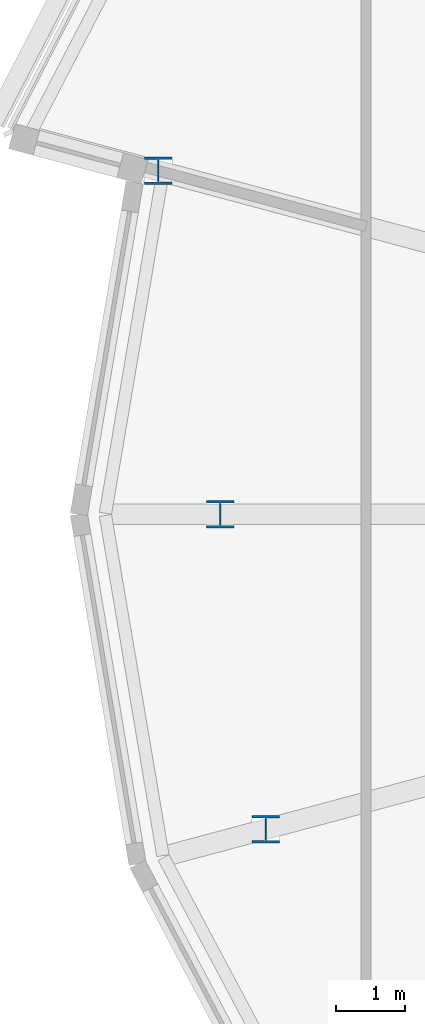
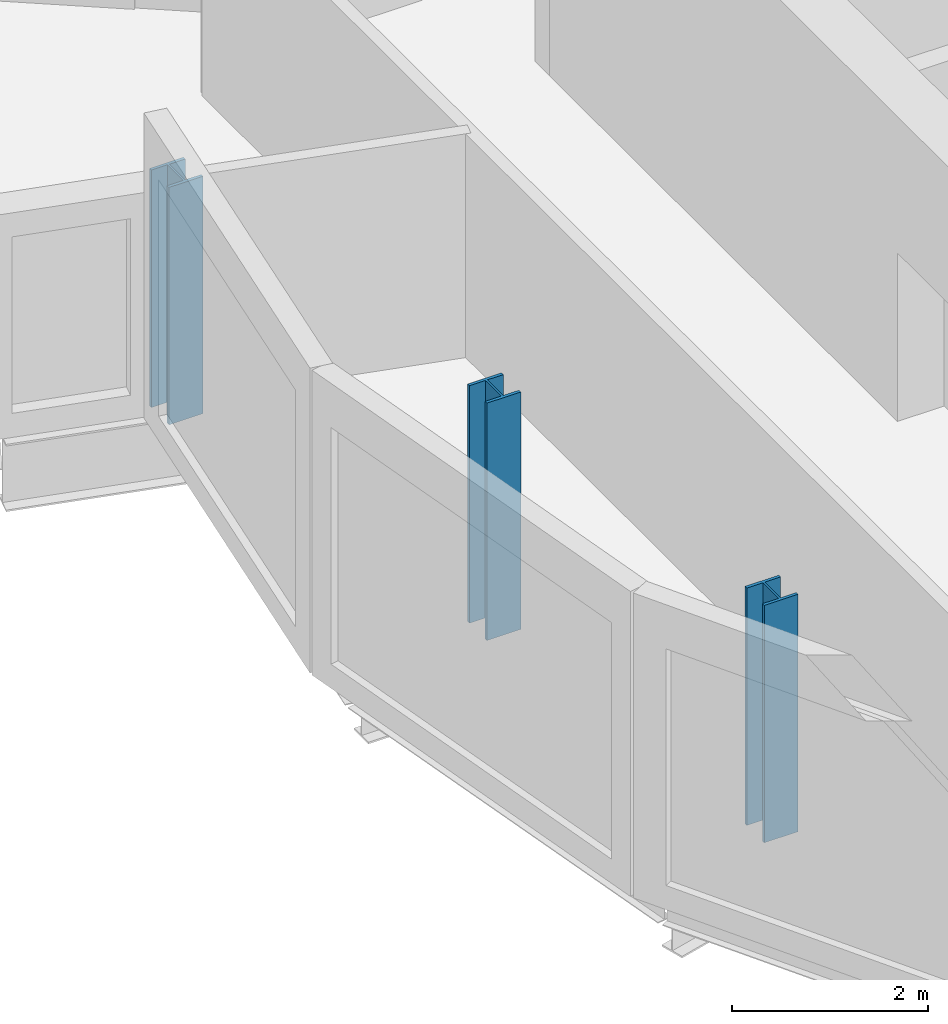
# One storey, part 1 of 35: 3 columns.
"""IFC4 building model written with IfcOpenShell, lengths in metres."""

import ifcopenshell
import ifcopenshell.guid

model = None  # the IFC model being written
_history = None  # IfcOwnerHistory: only IFC2X3 demands one
_inside = {}  # id of a spatial element -> (the spatial element, [elements in it])
_under = {}  # id of a project, library or spatial element -> (it, [spatial elements below it])
_declared = {}  # id of a project -> (the project, [libraries it declares])
_typed = {}  # id of a type object -> (the type object, [elements of that type])
_made_of = {}  # id of a material, layer set ... -> (it, [elements and type objects made of it])


def new_model(schema):
    """Start an empty IFC model of exactly this schema.

    Asked for "IFC4X3", IfcOpenShell would pick the latest addendum, in which some entities
    have other attributes; the version numbers below select the first issue.
    IFC2X3 requires an IfcOwnerHistory on every rooted entity: one is made here for all.
    """
    global model, _history
    if schema == "IFC4X3":
        model = ifcopenshell.file(schema_version=(4, 3, 0, 0))
    else:
        model = ifcopenshell.file(schema=schema)
    _inside.clear()
    _under.clear()
    _declared.clear()
    _typed.clear()
    _made_of.clear()
    _history = None
    if model.schema == "IFC2X3":
        org = make("IfcOrganization", Name="unknown")
        user = make(
            "IfcPersonAndOrganization",
            ThePerson=make("IfcPerson", FamilyName="unknown"),
            TheOrganization=org,
        )
        app = make(
            "IfcApplication",
            ApplicationDeveloper=org,
            Version="unknown",
            ApplicationFullName="unknown",
            ApplicationIdentifier="unknown",
        )
        _history = make(
            "IfcOwnerHistory",
            OwningUser=user,
            OwningApplication=app,
            ChangeAction="ADDED",
            CreationDate=0,
        )
    return model


def make(cls, **values):
    """One entity of the class cls with the attributes given. An attribute that is None is left unset."""
    return model.create_entity(
        cls, **{name: value for name, value in values.items() if value is not None}
    )


def rooted(cls, **values):
    """An entity with a GlobalId (a new one), such as an element, a storey or a relation."""
    return make(cls, GlobalId=ifcopenshell.guid.new(), OwnerHistory=_history, **values)


def si_unit(unit_type, name, prefix=None):
    """IfcSIUnit, for example si_unit("LENGTHUNIT", "METRE", prefix="MILLI")."""
    return make("IfcSIUnit", UnitType=unit_type, Prefix=prefix, Name=name)


def assignment(units):
    """IfcUnitAssignment: the units of a project."""
    return None if units is None else make("IfcUnitAssignment", Units=units)


def point(xyz):
    """IfcCartesianPoint."""
    return None if xyz is None else make("IfcCartesianPoint", Coordinates=xyz)


def direction(xyz):
    """IfcDirection."""
    return None if xyz is None else make("IfcDirection", DirectionRatios=xyz)


def frame(location, z_axis=None, x_axis=None):
    """IfcAxis2Placement3D, a coordinate frame: its origin and axes. An axis left out is left unset."""
    return make(
        "IfcAxis2Placement3D",
        Location=point(location),
        Axis=direction(z_axis),
        RefDirection=direction(x_axis),
    )


def frame_2d(location, x_axis=None):
    """IfcAxis2Placement2D, a coordinate frame in the plane: its origin and x axis."""
    return make(
        "IfcAxis2Placement2D", Location=point(location), RefDirection=direction(x_axis)
    )


def origin():
    """The frame at (0, 0, 0) with its axes left unset."""
    return frame((0.0, 0.0, 0.0))


def origin_2d():
    """The frame at (0, 0) in the plane with its x axis left unset."""
    return frame_2d((0.0, 0.0))


def place(relative_to, where):
    """IfcLocalPlacement: puts the frame where relative to a parent placement (None: the world)."""
    return make(
        "IfcLocalPlacement", PlacementRelTo=relative_to, RelativePlacement=where
    )


def context(
    kind, dimensions, precision=None, world=None, true_north=None, identifier=None
):
    """IfcGeometricRepresentationContext, for example the 3D "Model" context."""
    return make(
        "IfcGeometricRepresentationContext",
        ContextIdentifier=identifier,
        ContextType=kind,
        CoordinateSpaceDimension=dimensions,
        Precision=precision,
        WorldCoordinateSystem=world,
        TrueNorth=true_north,
    )


def subcontext(parent, identifier, kind, view, scale=None):
    """IfcGeometricRepresentationSubContext, for example "Body" below "Model"."""
    return make(
        "IfcGeometricRepresentationSubContext",
        ContextIdentifier=identifier,
        ContextType=kind,
        ParentContext=parent,
        TargetScale=scale,
        TargetView=view,
    )


def project(units=None, contexts=None):
    """IfcProject with its units and contexts."""
    return rooted(
        "IfcProject",
        Name="project",
        RepresentationContexts=contexts,
        UnitsInContext=assignment(units),
    )


def spatial(cls, under=None, at=None, **own):
    """A site, building, storey or space (cls), placed at a placement, below another one or the project."""
    s = rooted(cls, ObjectPlacement=at, **own)
    if under is not None:
        _under.setdefault(under.id(), (under, []))[1].append(s)
    return s


def profile(cls, at=None, kind="AREA", **sizes):
    """A parametric profile (cls). Its sizes go by their IFC names, for example OverallWidth=200.0."""
    return make(cls, ProfileType=kind, Position=at, **sizes)


def i_section(**sizes):
    """IfcIShapeProfileDef."""
    return profile("IfcIShapeProfileDef", **sizes)


def extrude(swept, where, along, depth):
    """IfcExtrudedAreaSolid: the profile swept, set in the frame where, extruded along a direction by depth."""
    return make(
        "IfcExtrudedAreaSolid",
        SweptArea=swept,
        Position=where,
        ExtrudedDirection=direction(along),
        Depth=depth,
    )


def shape(context_of_items, identifier, shape_type, items):
    """IfcShapeRepresentation: the items that make up one representation, for example the "Body"."""
    return make(
        "IfcShapeRepresentation",
        ContextOfItems=context_of_items,
        RepresentationIdentifier=identifier,
        RepresentationType=shape_type,
        Items=items,
    )


def material(Name=None, Category=None):
    """IfcMaterial."""
    return make("IfcMaterial", Name=Name, Category=Category)


def material_profile(
    of_material, cross_section, Name=None, Category=None, Priority=None
):
    """IfcMaterialProfile: a cross section and its material."""
    return make(
        "IfcMaterialProfile",
        Name=Name,
        Material=of_material,
        Profile=cross_section,
        Priority=Priority,
        Category=Category,
    )


def profile_set(profiles, Name=None, composite=None):
    """IfcMaterialProfileSet."""
    return make(
        "IfcMaterialProfileSet",
        Name=Name,
        MaterialProfiles=profiles,
        CompositeProfile=composite,
    )


def made_of(thing, what):
    """Note that an element or type object is made of a material, layer set ...; save() writes the relation."""
    if what is not None:
        _made_of.setdefault(what.id(), (what, []))[1].append(thing)
    return thing


def type_object(cls, material=None, **own):
    """A type object (cls), such as IfcWallType, which elements share."""
    return made_of(rooted(cls, **own), material)


def element(
    cls,
    number,
    at=None,
    inside=None,
    cuts=None,
    type_object=None,
    material=None,
    context=None,
    identifier="Body",
    shape_type=None,
    held_by="IfcProductDefinitionShape",
    body=None,
    shapes=None,
    **own,
):
    """One element of the class cls, such as IfcWall. Its Tag is "e" and its number.

    at: its placement. inside: the storey or other place that contains it. cuts: it is an
    opening in that element (IfcRelVoidsElement). A single representation is given by context,
    identifier, shape_type and body (its items); several are given by shapes. held_by: the class
    of the entity that holds the representations. save() writes the other relations.
    """
    e = rooted(cls, Tag="e%d" % number, ObjectPlacement=at, **own)
    if body is not None:
        shapes = [shape(context, identifier, shape_type, body)]
    if shapes is not None:
        e.Representation = make(held_by, Representations=shapes)
    if inside is not None:
        _inside.setdefault(inside.id(), (inside, []))[1].append(e)
    if cuts is not None:
        rooted(
            "IfcRelVoidsElement", RelatingBuildingElement=cuts, RelatedOpeningElement=e
        )
    if type_object is not None:
        _typed.setdefault(type_object.id(), (type_object, []))[1].append(e)
    return made_of(e, material)


def aggregate(whole, parts):
    """IfcRelAggregates: a whole, such as a stair, and the parts it consists of."""
    return rooted("IfcRelAggregates", RelatingObject=whole, RelatedObjects=parts)


def save(model, path):
    """Write the relations noted so far, then the file.

    IfcRelAggregates (storeys below a building ...), IfcRelContainedInSpatialStructure (elements
    in a storey), IfcRelDefinesByType, IfcRelAssociatesMaterial and IfcRelDeclares: one each for
    every whole, place, type object, material and project.
    """
    for whole, parts in _under.values():
        aggregate(whole, parts)
    for where, things in _inside.values():
        rooted(
            "IfcRelContainedInSpatialStructure",
            RelatedElements=things,
            RelatingStructure=where,
        )
    for kind, things in _typed.values():
        rooted("IfcRelDefinesByType", RelatedObjects=things, RelatingType=kind)
    for what, things in _made_of.values():
        rooted("IfcRelAssociatesMaterial", RelatedObjects=things, RelatingMaterial=what)
    for by, libraries in _declared.values():
        rooted("IfcRelDeclares", RelatingContext=by, RelatedDefinitions=libraries)
    model.write(path)


model = new_model("IFC4")

# Units and contexts
model_context = context("Model", 3, precision=1e-05, world=origin(), true_north=direction((0.0, 1.0)))
body_context = subcontext(model_context, "Body", "Model", "MODEL_VIEW")
ifc_project = project(units=[si_unit("LENGTHUNIT", "METRE"), si_unit("AREAUNIT", "SQUARE_METRE"), si_unit("VOLUMEUNIT", "CUBIC_METRE"), si_unit("PLANEANGLEUNIT", "RADIAN"), si_unit("MASSUNIT", "GRAM", prefix="KILO")], contexts=[model_context])

# Site, building, storey
site_placement = place(None, origin())
site = spatial("IfcSite", under=ifc_project, at=site_placement, CompositionType="ELEMENT")
building_placement = place(site_placement, origin())
building = spatial("IfcBuilding", under=site, at=building_placement, Name="Rimbun Link Towers", CompositionType="ELEMENT")
storey_placement = place(building_placement, frame((0.0, 0.0, 196.89990234375)))
storey = spatial("IfcBuildingStorey", under=building, at=storey_placement, Name="L48", CompositionType="ELEMENT", Elevation=196.89990234375)

# Columns
ifc_material = material(Name="Steel S355J2", Category="steel")
ifc_material_profile = material_profile(ifc_material, i_section(OverallWidth=0.39892578125, OverallDepth=0.3935546875, WebThickness=0.022705078125, FlangeThickness=0.03662109375, at=origin_2d()), Name="UC 356x406x287")
ifc_profile_set = profile_set([ifc_material_profile], Name="Steel S355J2")
column_type = type_object("IfcColumnType", Name="UC 356x406x287", PredefinedType="COLUMN", material=ifc_profile_set)
for number, where, z_axis, x_axis, name in (
    (1, (-50.215087890625, 4.94775390625, -0.14990234375), (0.0, 0.0, 1.0), (1.0, 0.0, 0.0), "Crease post T1 L48 11"),
    (2, (-49.322265625, 0.0, -0.14990234375), (0.0, 0.0, 1.0), (1.0, 0.0, 0.0), "Crease post T1 L48 12"),
    (3, (-48.670654296875, -4.533935546875, -0.14990234375), (0.0, 0.0, 1.0), (1.0, 0.0, 0.0), "Crease post T1 L48 13"),
):
    element("IfcColumn", number, at=place(storey_placement, frame(where, z_axis=z_axis, x_axis=x_axis)), inside=storey, type_object=column_type, Name=name, PredefinedType="COLUMN", context=body_context, shape_type="SweptSolid", body=[
        extrude(i_section(OverallWidth=0.39892578125, OverallDepth=0.3935546875, WebThickness=0.022705078125, FlangeThickness=0.03662109375, at=origin_2d()), origin(), (0.0, 0.0, 1.0), 2.959228515625),
    ])

save(model, "model.ifc")
